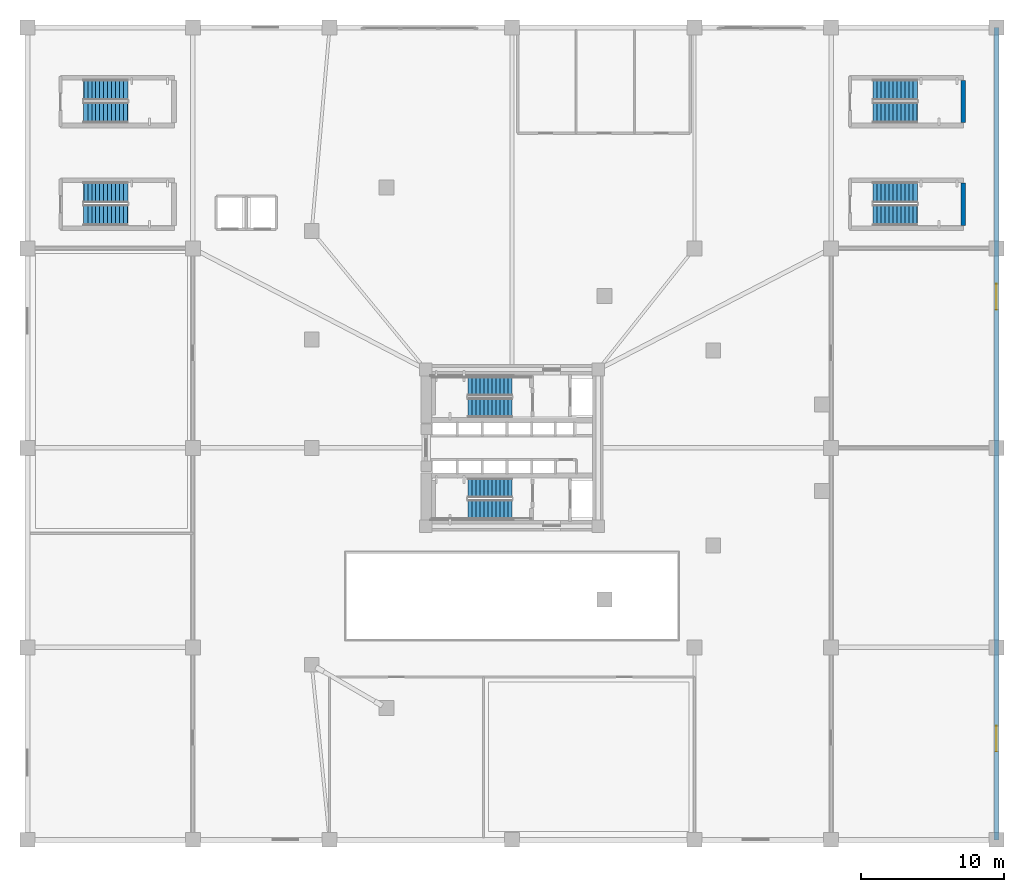
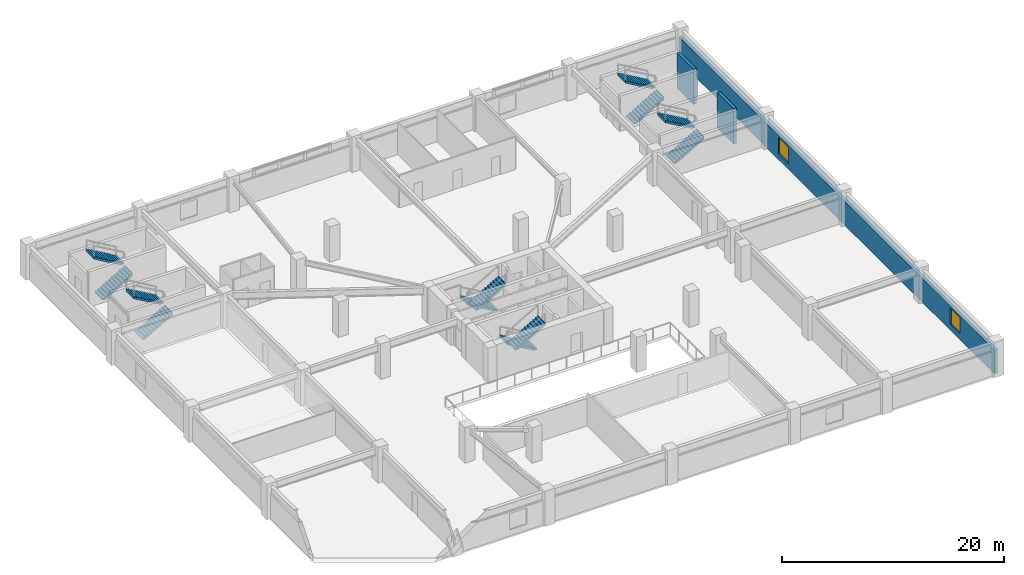
# One storey, part 7 of 16: 12 stair flights, 3 walls, 2 windows, 2 openings, 6 elements without a shape of their own.
"""IFC4 building model written with IfcOpenShell, lengths in metres."""

from ifc_helpers import new_model, si_unit, direction, frame, frame_2d, origin, place, context, subcontext, project, spatial, polyline, rectangle, outline, extrude, material, layer, layer_set, type_object, element, fill, aggregate, save


model = new_model("IFC4")

# Units and contexts
model_context = context("Model", 3, precision=1e-05, world=origin(), true_north=direction((0.0, 1.0)))
body_context = subcontext(model_context, "Body", "Model", "MODEL_VIEW")
ifc_project = project(units=[si_unit("LENGTHUNIT", "METRE"), si_unit("AREAUNIT", "SQUARE_METRE"), si_unit("VOLUMEUNIT", "CUBIC_METRE"), si_unit("PLANEANGLEUNIT", "RADIAN"), si_unit("MASSUNIT", "GRAM", prefix="KILO")], contexts=[model_context])

# Site, building, storey
site_placement = place(None, origin())
site = spatial("IfcSite", under=ifc_project, at=site_placement, CompositionType="ELEMENT")
building_placement = place(site_placement, origin())
building = spatial("IfcBuilding", under=site, at=building_placement, Name="Yunling Apex Tower", CompositionType="ELEMENT")
storey_placement = place(building_placement, frame((0.0, 0.0, 4.5)))
storey = spatial("IfcBuildingStorey", under=building, at=storey_placement, Name="L02", CompositionType="ELEMENT", Elevation=4.5)

# Walls
ifc_material_1 = material(Name="Concrete C40", Category="concrete")
ifc_layer_1 = layer(ifc_material_1, 0.320068359375)
ifc_layer_set_1 = layer_set([ifc_layer_1], Name="Concrete C40")
wall_type_1 = type_object("IfcWallType", Name="WL-COR-7", PredefinedType="SHEAR", material=ifc_layer_set_1)
for number, where, z_axis, x_axis, name in (
    (1, (31.679931640625, 15.6201171875, 0.0), (0.0, 0.0, 1.0), (0.0, 1.0, 0.0), "L02 STP2 Half-Landing Bearing Wall"),
    (2, (31.679931640625, 22.820068359375, 0.0), (0.0, 0.0, 1.0), (0.0, 1.0, 0.0), "L02 STG2 Half-Landing Bearing Wall"),
):
    element("IfcWall", number, at=place(storey_placement, frame(where, z_axis=z_axis, x_axis=x_axis)), inside=storey, type_object=wall_type_1, Name=name, PredefinedType="SHEAR", context=body_context, shape_type="SweptSolid", body=[
        extrude(rectangle(XDim=2.9599609375, YDim=0.320068359375, at=frame_2d((1.47998046875, 0.0))), origin(), (0.0, 0.0, 1.0), 3.89990234375),
    ])

# Wall, openings, windows
ifc_material_2 = material(Name="Precast concrete C40", Category="concrete")
ifc_layer_2 = layer(ifc_material_2, 0.320068359375)
ifc_layer_set_2 = layer_set([ifc_layer_2], Name="Precast concrete C40")
wall_type_2 = type_object("IfcWallType", Name="WL-EXT-1", PredefinedType="SOLIDWALL", material=ifc_layer_set_2)
wall_placement = place(storey_placement, frame((34.0, 29.5, 0.0), z_axis=(0.0, 0.0, 1.0), x_axis=(0.0, -1.0, 0.0)))
wall = element("IfcWall", 3, at=wall_placement, inside=storey, type_object=wall_type_2, Name="WL-POD-L02-E", PredefinedType="SOLIDWALL", context=body_context, shape_type="SweptSolid", body=[
    extrude(rectangle(XDim=57.0, YDim=0.320068359375, at=frame_2d((28.5, 0.0))), origin(), (0.0, 0.0, 1.0), 2.64990234375),
])
opening_1_placement = place(wall_placement, frame((18.0, 0.0, 0.64990234375)))
opening_1 = element("IfcOpeningElement", 4, at=opening_1_placement, cuts=wall, Name="Opening WN-POD-2", PredefinedType="OPENING", context=body_context, shape_type="SweptSolid", body=[
    extrude(rectangle(XDim=1.800048828125, YDim=1.800048828125, at=frame_2d((0.89990234375, 0.89990234375))), frame((0.0, 0.169921875, 0.0), z_axis=(0.0, -1.0, 0.0), x_axis=(1.0, 0.0, 0.0)), (0.0, 0.0, 1.0), 0.340087890625),
])
opening_2_placement = place(wall_placement, frame((49.0, 0.0, 0.64990234375)))
opening_2 = element("IfcOpeningElement", 5, at=opening_2_placement, cuts=wall, Name="Opening WN-POD-2", PredefinedType="OPENING", context=body_context, shape_type="SweptSolid", body=[
    extrude(rectangle(XDim=1.800048828125, YDim=1.800048828125, at=frame_2d((0.89990234375, 0.89990234375))), frame((0.0, 0.169921875, 0.0), z_axis=(0.0, -1.0, 0.0), x_axis=(1.0, 0.0, 0.0)), (0.0, 0.0, 1.0), 0.340087890625),
])
ifc_material_3 = material(Name="Bronze tinted low-E glass", Category="glass")
window_type = type_object("IfcWindowType", Name="WN-POD-2", PartitioningType="SINGLE_PANEL", PredefinedType="WINDOW", material=ifc_material_3)
window_1_placement = place(opening_1_placement, origin())
window_1 = element("IfcWindow", 6, at=window_1_placement, inside=storey, type_object=window_type, Name="WN-L02-E-1", OverallHeight=1.800048828125, OverallWidth=1.800048828125, PartitioningType="SINGLE_PANEL", PredefinedType="WINDOW", context=body_context, shape_type="SweptSolid", body=[
    extrude(rectangle(XDim=1.800048828125, YDim=1.800048828125, at=frame_2d((0.89990234375, 0.89990234375))), frame((0.0, 0.030029296875, 0.0), z_axis=(0.0, -1.0, 0.0), x_axis=(1.0, 0.0, 0.0)), (0.0, 0.0, 1.0), 0.06005859375),
])
fill(opening_1, window_1)
window_2_placement = place(opening_2_placement, origin())
window_2 = element("IfcWindow", 7, at=window_2_placement, inside=storey, type_object=window_type, Name="WN-L02-E-2", OverallHeight=1.800048828125, OverallWidth=1.800048828125, PartitioningType="SINGLE_PANEL", PredefinedType="WINDOW", context=body_context, shape_type="SweptSolid", body=[
    extrude(rectangle(XDim=1.800048828125, YDim=1.800048828125, at=frame_2d((0.89990234375, 0.89990234375))), frame((0.0, 0.030029296875, 0.0), z_axis=(0.0, -1.0, 0.0), x_axis=(1.0, 0.0, 0.0)), (0.0, 0.0, 1.0), 0.06005859375),
])
fill(opening_2, window_2)

# Stair, stair flights
stair_type_1 = type_object("IfcStairType", Name="ST-GDN-1", PredefinedType="STRAIGHT_RUN_STAIR", material=ifc_material_1)
stair_1_placement = place(storey_placement, origin())
stair_1 = element("IfcStair", 8, at=stair_1_placement, inside=storey, type_object=stair_type_1, Name="L02 West Plaza-to-Garden External Stair ST-G1", PredefinedType="HALF_TURN_STAIR")
stair_flight_type_1 = type_object("IfcStairFlightType", Name="SFL-GDN-1", PredefinedType="STRAIGHT", material=ifc_material_1)
stair_flight_1_placement = place(storey_placement, frame((-30.050048828125, 23.52490234375, 0.0), z_axis=(0.0, 0.0, 1.0), x_axis=(1.0, 0.0, 0.0)))
stair_flight_1 = element("IfcStairFlight", 9, at=stair_flight_1_placement, type_object=stair_flight_type_1, Name="ST-G1 flight 1", NumberOfRisers=12, NumberOfTreads=11, PredefinedType="STRAIGHT", RiserHeight=0.1625, TreadLength=0.28, context=body_context, shape_type="SweptSolid", body=[
    extrude(outline(polyline([(-0.011962890625, 0.0), (-0.011962890625, 0.16259765625), (0.0, 0.16259765625), (0.280029296875, 0.16259765625), (0.280029296875, 0.324951171875), (0.56005859375, 0.324951171875), (0.56005859375, 0.487548828125), (0.840087890625, 0.487548828125), (0.840087890625, 0.64990234375), (1.1201171875, 0.64990234375), (1.1201171875, 0.8125), (1.39990234375, 0.8125), (1.39990234375, 0.97509765625), (1.679931640625, 0.97509765625), (1.679931640625, 1.137451171875), (1.9599609375, 1.137451171875), (1.9599609375, 1.300048828125), (2.239990234375, 1.300048828125), (2.239990234375, 1.46240234375), (2.52001953125, 1.46240234375), (2.52001953125, 1.625), (2.800048828125, 1.625), (2.800048828125, 1.78759765625), (3.080078125, 1.78759765625), (3.080078125, 1.949951171875), (3.092041015625, 1.949951171875), (3.092041015625, 1.6025390625), (0.318603515625, 0.0), (-0.011962890625, 0.0)])), frame((0.0, 0.72509765625, 0.0), z_axis=(0.0, -1.0, 0.0), x_axis=(1.0, 0.0, 0.0)), (0.0, 0.0, 1.0), 1.449951171875),
])
stair_flight_2_placement = place(storey_placement, frame((-26.969970703125, 25.125, 1.949951171875), z_axis=(0.0, 0.0, 1.0), x_axis=(-1.0, 0.0, 0.0)))
stair_flight_2 = element("IfcStairFlight", 10, at=stair_flight_2_placement, type_object=stair_flight_type_1, Name="ST-G1 flight 2", NumberOfRisers=12, NumberOfTreads=11, PredefinedType="STRAIGHT", RiserHeight=0.1625, TreadLength=0.28, context=body_context, shape_type="SweptSolid", body=[
    extrude(outline(polyline([(-0.011962890625, 0.0), (-0.011962890625, 0.16259765625), (0.0, 0.16259765625), (0.280029296875, 0.16259765625), (0.280029296875, 0.324951171875), (0.56005859375, 0.324951171875), (0.56005859375, 0.487548828125), (0.840087890625, 0.487548828125), (0.840087890625, 0.64990234375), (1.1201171875, 0.64990234375), (1.1201171875, 0.8125), (1.39990234375, 0.8125), (1.39990234375, 0.97509765625), (1.679931640625, 0.97509765625), (1.679931640625, 1.137451171875), (1.9599609375, 1.137451171875), (1.9599609375, 1.300048828125), (2.239990234375, 1.300048828125), (2.239990234375, 1.46240234375), (2.52001953125, 1.46240234375), (2.52001953125, 1.625), (2.800048828125, 1.625), (2.800048828125, 1.78759765625), (3.080078125, 1.78759765625), (3.080078125, 1.949951171875), (3.092041015625, 1.949951171875), (3.092041015625, 1.6025390625), (0.318603515625, 0.0), (-0.011962890625, 0.0)])), frame((0.0, 0.72509765625, 0.0), z_axis=(0.0, -1.0, 0.0), x_axis=(1.0, 0.0, 0.0)), (0.0, 0.0, 1.0), 1.449951171875),
])
aggregate(stair_1, [stair_flight_1, stair_flight_2])

stair_2_placement = place(storey_placement, origin())
stair_2 = element("IfcStair", 11, at=stair_2_placement, inside=storey, type_object=stair_type_1, Name="L02 East Plaza-to-Garden External Stair ST-G2", PredefinedType="HALF_TURN_STAIR")
stair_flight_3_placement = place(storey_placement, frame((25.35009765625, 23.52490234375, 0.0), z_axis=(0.0, 0.0, 1.0), x_axis=(1.0, 0.0, 0.0)))
stair_flight_3 = element("IfcStairFlight", 12, at=stair_flight_3_placement, type_object=stair_flight_type_1, Name="ST-G2 flight 1", NumberOfRisers=12, NumberOfTreads=11, PredefinedType="STRAIGHT", RiserHeight=0.1625, TreadLength=0.28, context=body_context, shape_type="SweptSolid", body=[
    extrude(outline(polyline([(-0.011962890625, 0.0), (-0.011962890625, 0.16259765625), (0.0, 0.16259765625), (0.280029296875, 0.16259765625), (0.280029296875, 0.324951171875), (0.56005859375, 0.324951171875), (0.56005859375, 0.487548828125), (0.840087890625, 0.487548828125), (0.840087890625, 0.64990234375), (1.1201171875, 0.64990234375), (1.1201171875, 0.8125), (1.39990234375, 0.8125), (1.39990234375, 0.97509765625), (1.679931640625, 0.97509765625), (1.679931640625, 1.137451171875), (1.9599609375, 1.137451171875), (1.9599609375, 1.300048828125), (2.239990234375, 1.300048828125), (2.239990234375, 1.46240234375), (2.52001953125, 1.46240234375), (2.52001953125, 1.625), (2.800048828125, 1.625), (2.800048828125, 1.78759765625), (3.080078125, 1.78759765625), (3.080078125, 1.949951171875), (3.092041015625, 1.949951171875), (3.092041015625, 1.6025390625), (0.318603515625, 0.0), (-0.011962890625, 0.0)])), frame((0.0, 0.72509765625, 0.0), z_axis=(0.0, -1.0, 0.0), x_axis=(1.0, 0.0, 0.0)), (0.0, 0.0, 1.0), 1.449951171875),
])
stair_flight_4_placement = place(storey_placement, frame((28.429931640625, 25.125, 1.949951171875), z_axis=(0.0, 0.0, 1.0), x_axis=(-1.0, 0.0, 0.0)))
stair_flight_4 = element("IfcStairFlight", 13, at=stair_flight_4_placement, type_object=stair_flight_type_1, Name="ST-G2 flight 2", NumberOfRisers=12, NumberOfTreads=11, PredefinedType="STRAIGHT", RiserHeight=0.1625, TreadLength=0.28, context=body_context, shape_type="SweptSolid", body=[
    extrude(outline(polyline([(-0.011962890625, 0.0), (-0.011962890625, 0.16259765625), (0.0, 0.16259765625), (0.280029296875, 0.16259765625), (0.280029296875, 0.324951171875), (0.56005859375, 0.324951171875), (0.56005859375, 0.487548828125), (0.840087890625, 0.487548828125), (0.840087890625, 0.64990234375), (1.1201171875, 0.64990234375), (1.1201171875, 0.8125), (1.39990234375, 0.8125), (1.39990234375, 0.97509765625), (1.679931640625, 0.97509765625), (1.679931640625, 1.137451171875), (1.9599609375, 1.137451171875), (1.9599609375, 1.300048828125), (2.239990234375, 1.300048828125), (2.239990234375, 1.46240234375), (2.52001953125, 1.46240234375), (2.52001953125, 1.625), (2.800048828125, 1.625), (2.800048828125, 1.78759765625), (3.080078125, 1.78759765625), (3.080078125, 1.949951171875), (3.092041015625, 1.949951171875), (3.092041015625, 1.6025390625), (0.318603515625, 0.0), (-0.011962890625, 0.0)])), frame((0.0, 0.72509765625, 0.0), z_axis=(0.0, -1.0, 0.0), x_axis=(1.0, 0.0, 0.0)), (0.0, 0.0, 1.0), 1.449951171875),
])
aggregate(stair_2, [stair_flight_3, stair_flight_4])

stair_type_2 = type_object("IfcStairType", Name="ST-POD-1", PredefinedType="HALF_TURN_STAIR", material=ifc_material_1)
stair_3_placement = place(storey_placement, origin())
stair_3 = element("IfcStair", 14, at=stair_3_placement, inside=storey, type_object=stair_type_2, Name="L02 West Podium Smokeproof Stair ST-P1", PredefinedType="HALF_TURN_STAIR")
stair_flight_type_2 = type_object("IfcStairFlightType", Name="SFL-POD-1", PredefinedType="STRAIGHT", material=ifc_material_1)
stair_flight_5_placement = place(storey_placement, frame((-30.050048828125, 16.324951171875, 0.0), z_axis=(0.0, 0.0, 1.0), x_axis=(1.0, 0.0, 0.0)))
stair_flight_5 = element("IfcStairFlight", 15, at=stair_flight_5_placement, type_object=stair_flight_type_2, Name="ST-P1 flight 1", NumberOfRisers=12, NumberOfTreads=11, PredefinedType="STRAIGHT", RiserHeight=0.1625, TreadLength=0.28, context=body_context, shape_type="SweptSolid", body=[
    extrude(outline(polyline([(-0.011962890625, 0.0), (-0.011962890625, 0.16259765625), (0.0, 0.16259765625), (0.280029296875, 0.16259765625), (0.280029296875, 0.324951171875), (0.56005859375, 0.324951171875), (0.56005859375, 0.487548828125), (0.840087890625, 0.487548828125), (0.840087890625, 0.64990234375), (1.1201171875, 0.64990234375), (1.1201171875, 0.8125), (1.39990234375, 0.8125), (1.39990234375, 0.97509765625), (1.679931640625, 0.97509765625), (1.679931640625, 1.137451171875), (1.9599609375, 1.137451171875), (1.9599609375, 1.300048828125), (2.239990234375, 1.300048828125), (2.239990234375, 1.46240234375), (2.52001953125, 1.46240234375), (2.52001953125, 1.625), (2.800048828125, 1.625), (2.800048828125, 1.78759765625), (3.080078125, 1.78759765625), (3.080078125, 1.949951171875), (3.092041015625, 1.949951171875), (3.092041015625, 1.6025390625), (0.318603515625, 0.0), (-0.011962890625, 0.0)])), frame((0.0, 0.72509765625, 0.0), z_axis=(0.0, -1.0, 0.0), x_axis=(1.0, 0.0, 0.0)), (0.0, 0.0, 1.0), 1.449951171875),
])
stair_flight_6_placement = place(storey_placement, frame((-26.969970703125, 17.925048828125, 1.949951171875), z_axis=(0.0, 0.0, 1.0), x_axis=(-1.0, 0.0, 0.0)))
stair_flight_6 = element("IfcStairFlight", 16, at=stair_flight_6_placement, type_object=stair_flight_type_2, Name="ST-P1 flight 2", NumberOfRisers=12, NumberOfTreads=11, PredefinedType="STRAIGHT", RiserHeight=0.1625, TreadLength=0.28, context=body_context, shape_type="SweptSolid", body=[
    extrude(outline(polyline([(-0.011962890625, 0.0), (-0.011962890625, 0.16259765625), (0.0, 0.16259765625), (0.280029296875, 0.16259765625), (0.280029296875, 0.324951171875), (0.56005859375, 0.324951171875), (0.56005859375, 0.487548828125), (0.840087890625, 0.487548828125), (0.840087890625, 0.64990234375), (1.1201171875, 0.64990234375), (1.1201171875, 0.8125), (1.39990234375, 0.8125), (1.39990234375, 0.97509765625), (1.679931640625, 0.97509765625), (1.679931640625, 1.137451171875), (1.9599609375, 1.137451171875), (1.9599609375, 1.300048828125), (2.239990234375, 1.300048828125), (2.239990234375, 1.46240234375), (2.52001953125, 1.46240234375), (2.52001953125, 1.625), (2.800048828125, 1.625), (2.800048828125, 1.78759765625), (3.080078125, 1.78759765625), (3.080078125, 1.949951171875), (3.092041015625, 1.949951171875), (3.092041015625, 1.6025390625), (0.318603515625, 0.0), (-0.011962890625, 0.0)])), frame((0.0, 0.72509765625, 0.0), z_axis=(0.0, -1.0, 0.0), x_axis=(1.0, 0.0, 0.0)), (0.0, 0.0, 1.0), 1.449951171875),
])
aggregate(stair_3, [stair_flight_5, stair_flight_6])

stair_4_placement = place(storey_placement, origin())
stair_4 = element("IfcStair", 17, at=stair_4_placement, inside=storey, type_object=stair_type_2, Name="L02 East Podium Smokeproof Stair ST-P2", PredefinedType="HALF_TURN_STAIR")
stair_flight_7_placement = place(storey_placement, frame((25.35009765625, 16.324951171875, 0.0), z_axis=(0.0, 0.0, 1.0), x_axis=(1.0, 0.0, 0.0)))
stair_flight_7 = element("IfcStairFlight", 18, at=stair_flight_7_placement, type_object=stair_flight_type_2, Name="ST-P2 flight 1", NumberOfRisers=12, NumberOfTreads=11, PredefinedType="STRAIGHT", RiserHeight=0.1625, TreadLength=0.28, context=body_context, shape_type="SweptSolid", body=[
    extrude(outline(polyline([(-0.011962890625, 0.0), (-0.011962890625, 0.16259765625), (0.0, 0.16259765625), (0.280029296875, 0.16259765625), (0.280029296875, 0.324951171875), (0.56005859375, 0.324951171875), (0.56005859375, 0.487548828125), (0.840087890625, 0.487548828125), (0.840087890625, 0.64990234375), (1.1201171875, 0.64990234375), (1.1201171875, 0.8125), (1.39990234375, 0.8125), (1.39990234375, 0.97509765625), (1.679931640625, 0.97509765625), (1.679931640625, 1.137451171875), (1.9599609375, 1.137451171875), (1.9599609375, 1.300048828125), (2.239990234375, 1.300048828125), (2.239990234375, 1.46240234375), (2.52001953125, 1.46240234375), (2.52001953125, 1.625), (2.800048828125, 1.625), (2.800048828125, 1.78759765625), (3.080078125, 1.78759765625), (3.080078125, 1.949951171875), (3.092041015625, 1.949951171875), (3.092041015625, 1.6025390625), (0.318603515625, 0.0), (-0.011962890625, 0.0)])), frame((0.0, 0.72509765625, 0.0), z_axis=(0.0, -1.0, 0.0), x_axis=(1.0, 0.0, 0.0)), (0.0, 0.0, 1.0), 1.449951171875),
])
stair_flight_8_placement = place(storey_placement, frame((28.429931640625, 17.925048828125, 1.949951171875), z_axis=(0.0, 0.0, 1.0), x_axis=(-1.0, 0.0, 0.0)))
stair_flight_8 = element("IfcStairFlight", 19, at=stair_flight_8_placement, type_object=stair_flight_type_2, Name="ST-P2 flight 2", NumberOfRisers=12, NumberOfTreads=11, PredefinedType="STRAIGHT", RiserHeight=0.1625, TreadLength=0.28, context=body_context, shape_type="SweptSolid", body=[
    extrude(outline(polyline([(-0.011962890625, 0.0), (-0.011962890625, 0.16259765625), (0.0, 0.16259765625), (0.280029296875, 0.16259765625), (0.280029296875, 0.324951171875), (0.56005859375, 0.324951171875), (0.56005859375, 0.487548828125), (0.840087890625, 0.487548828125), (0.840087890625, 0.64990234375), (1.1201171875, 0.64990234375), (1.1201171875, 0.8125), (1.39990234375, 0.8125), (1.39990234375, 0.97509765625), (1.679931640625, 0.97509765625), (1.679931640625, 1.137451171875), (1.9599609375, 1.137451171875), (1.9599609375, 1.300048828125), (2.239990234375, 1.300048828125), (2.239990234375, 1.46240234375), (2.52001953125, 1.46240234375), (2.52001953125, 1.625), (2.800048828125, 1.625), (2.800048828125, 1.78759765625), (3.080078125, 1.78759765625), (3.080078125, 1.949951171875), (3.092041015625, 1.949951171875), (3.092041015625, 1.6025390625), (0.318603515625, 0.0), (-0.011962890625, 0.0)])), frame((0.0, 0.72509765625, 0.0), z_axis=(0.0, -1.0, 0.0), x_axis=(1.0, 0.0, 0.0)), (0.0, 0.0, 1.0), 1.449951171875),
])
aggregate(stair_4, [stair_flight_7, stair_flight_8])

stair_type_3 = type_object("IfcStairType", Name="ST-TWR-1", PredefinedType="HALF_TURN_STAIR", material=ifc_material_1)
stair_5_placement = place(storey_placement, origin())
stair_5 = element("IfcStair", 20, at=stair_5_placement, inside=storey, type_object=stair_type_3, Name="L02 North Core Smokeproof Exit Stair ST-1", PredefinedType="HALF_TURN_STAIR")
stair_flight_type_3 = type_object("IfcStairFlightType", Name="SFL-TWR-1", PredefinedType="STRAIGHT", material=ifc_material_1)
stair_flight_9_placement = place(storey_placement, frame((-0.010009765625, 4.330078125, 0.0), z_axis=(0.0, 0.0, 1.0), x_axis=(-1.0, 0.0, 0.0)))
stair_flight_9 = element("IfcStairFlight", 21, at=stair_flight_9_placement, type_object=stair_flight_type_3, Name="ST-1 flight 1", NumberOfRisers=12, NumberOfTreads=11, PredefinedType="STRAIGHT", RiserHeight=0.1625, TreadLength=0.28, context=body_context, shape_type="SweptSolid", body=[
    extrude(outline(polyline([(-0.011962890625, 0.0), (-0.011962890625, 0.16259765625), (0.0, 0.16259765625), (0.280029296875, 0.16259765625), (0.280029296875, 0.324951171875), (0.56005859375, 0.324951171875), (0.56005859375, 0.487548828125), (0.840087890625, 0.487548828125), (0.840087890625, 0.64990234375), (1.1201171875, 0.64990234375), (1.1201171875, 0.8125), (1.39990234375, 0.8125), (1.39990234375, 0.97509765625), (1.679931640625, 0.97509765625), (1.679931640625, 1.137451171875), (1.9599609375, 1.137451171875), (1.9599609375, 1.300048828125), (2.239990234375, 1.300048828125), (2.239990234375, 1.46240234375), (2.52001953125, 1.46240234375), (2.52001953125, 1.625), (2.800048828125, 1.625), (2.800048828125, 1.78759765625), (3.080078125, 1.78759765625), (3.080078125, 1.949951171875), (3.092041015625, 1.949951171875), (3.092041015625, 1.6025390625), (0.318603515625, 0.0), (-0.011962890625, 0.0)])), frame((0.0, 0.68017578125, 0.0), z_axis=(0.0, -1.0, 0.0), x_axis=(1.0, 0.0, 0.0)), (0.0, 0.0, 1.0), 1.360107421875),
])
stair_flight_10_placement = place(storey_placement, frame((-3.090087890625, 2.820068359375, 1.949951171875), z_axis=(0.0, 0.0, 1.0), x_axis=(1.0, 0.0, 0.0)))
stair_flight_10 = element("IfcStairFlight", 22, at=stair_flight_10_placement, type_object=stair_flight_type_3, Name="ST-1 flight 2", NumberOfRisers=12, NumberOfTreads=11, PredefinedType="STRAIGHT", RiserHeight=0.1625, TreadLength=0.28, context=body_context, shape_type="SweptSolid", body=[
    extrude(outline(polyline([(-0.011962890625, 0.0), (-0.011962890625, 0.16259765625), (0.0, 0.16259765625), (0.280029296875, 0.16259765625), (0.280029296875, 0.324951171875), (0.56005859375, 0.324951171875), (0.56005859375, 0.487548828125), (0.840087890625, 0.487548828125), (0.840087890625, 0.64990234375), (1.1201171875, 0.64990234375), (1.1201171875, 0.8125), (1.39990234375, 0.8125), (1.39990234375, 0.97509765625), (1.679931640625, 0.97509765625), (1.679931640625, 1.137451171875), (1.9599609375, 1.137451171875), (1.9599609375, 1.300048828125), (2.239990234375, 1.300048828125), (2.239990234375, 1.46240234375), (2.52001953125, 1.46240234375), (2.52001953125, 1.625), (2.800048828125, 1.625), (2.800048828125, 1.78759765625), (3.080078125, 1.78759765625), (3.080078125, 1.949951171875), (3.092041015625, 1.949951171875), (3.092041015625, 1.6025390625), (0.318603515625, 0.0), (-0.011962890625, 0.0)])), frame((0.0, 0.68017578125, 0.0), z_axis=(0.0, -1.0, 0.0), x_axis=(1.0, 0.0, 0.0)), (0.0, 0.0, 1.0), 1.360107421875),
])
aggregate(stair_5, [stair_flight_9, stair_flight_10])

stair_6_placement = place(storey_placement, origin())
stair_6 = element("IfcStair", 23, at=stair_6_placement, inside=storey, type_object=stair_type_3, Name="L02 South Core Smokeproof Exit Stair ST-2", PredefinedType="HALF_TURN_STAIR")
stair_flight_11_placement = place(storey_placement, frame((-0.010009765625, -2.820068359375, 0.0), z_axis=(0.0, 0.0, 1.0), x_axis=(-1.0, 0.0, 0.0)))
stair_flight_11 = element("IfcStairFlight", 24, at=stair_flight_11_placement, type_object=stair_flight_type_3, Name="ST-2 flight 1", NumberOfRisers=12, NumberOfTreads=11, PredefinedType="STRAIGHT", RiserHeight=0.1625, TreadLength=0.28, context=body_context, shape_type="SweptSolid", body=[
    extrude(outline(polyline([(-0.011962890625, 0.0), (-0.011962890625, 0.16259765625), (0.0, 0.16259765625), (0.280029296875, 0.16259765625), (0.280029296875, 0.324951171875), (0.56005859375, 0.324951171875), (0.56005859375, 0.487548828125), (0.840087890625, 0.487548828125), (0.840087890625, 0.64990234375), (1.1201171875, 0.64990234375), (1.1201171875, 0.8125), (1.39990234375, 0.8125), (1.39990234375, 0.97509765625), (1.679931640625, 0.97509765625), (1.679931640625, 1.137451171875), (1.9599609375, 1.137451171875), (1.9599609375, 1.300048828125), (2.239990234375, 1.300048828125), (2.239990234375, 1.46240234375), (2.52001953125, 1.46240234375), (2.52001953125, 1.625), (2.800048828125, 1.625), (2.800048828125, 1.78759765625), (3.080078125, 1.78759765625), (3.080078125, 1.949951171875), (3.092041015625, 1.949951171875), (3.092041015625, 1.6025390625), (0.318603515625, 0.0), (-0.011962890625, 0.0)])), frame((0.0, 0.68017578125, 0.0), z_axis=(0.0, -1.0, 0.0), x_axis=(1.0, 0.0, 0.0)), (0.0, 0.0, 1.0), 1.360107421875),
])
stair_flight_12_placement = place(storey_placement, frame((-3.090087890625, -4.330078125, 1.949951171875), z_axis=(0.0, 0.0, 1.0), x_axis=(1.0, 0.0, 0.0)))
stair_flight_12 = element("IfcStairFlight", 25, at=stair_flight_12_placement, type_object=stair_flight_type_3, Name="ST-2 flight 2", NumberOfRisers=12, NumberOfTreads=11, PredefinedType="STRAIGHT", RiserHeight=0.1625, TreadLength=0.28, context=body_context, shape_type="SweptSolid", body=[
    extrude(outline(polyline([(-0.011962890625, 0.0), (-0.011962890625, 0.16259765625), (0.0, 0.16259765625), (0.280029296875, 0.16259765625), (0.280029296875, 0.324951171875), (0.56005859375, 0.324951171875), (0.56005859375, 0.487548828125), (0.840087890625, 0.487548828125), (0.840087890625, 0.64990234375), (1.1201171875, 0.64990234375), (1.1201171875, 0.8125), (1.39990234375, 0.8125), (1.39990234375, 0.97509765625), (1.679931640625, 0.97509765625), (1.679931640625, 1.137451171875), (1.9599609375, 1.137451171875), (1.9599609375, 1.300048828125), (2.239990234375, 1.300048828125), (2.239990234375, 1.46240234375), (2.52001953125, 1.46240234375), (2.52001953125, 1.625), (2.800048828125, 1.625), (2.800048828125, 1.78759765625), (3.080078125, 1.78759765625), (3.080078125, 1.949951171875), (3.092041015625, 1.949951171875), (3.092041015625, 1.6025390625), (0.318603515625, 0.0), (-0.011962890625, 0.0)])), frame((0.0, 0.68017578125, 0.0), z_axis=(0.0, -1.0, 0.0), x_axis=(1.0, 0.0, 0.0)), (0.0, 0.0, 1.0), 1.360107421875),
])
aggregate(stair_6, [stair_flight_11, stair_flight_12])

save(model, "model.ifc")
